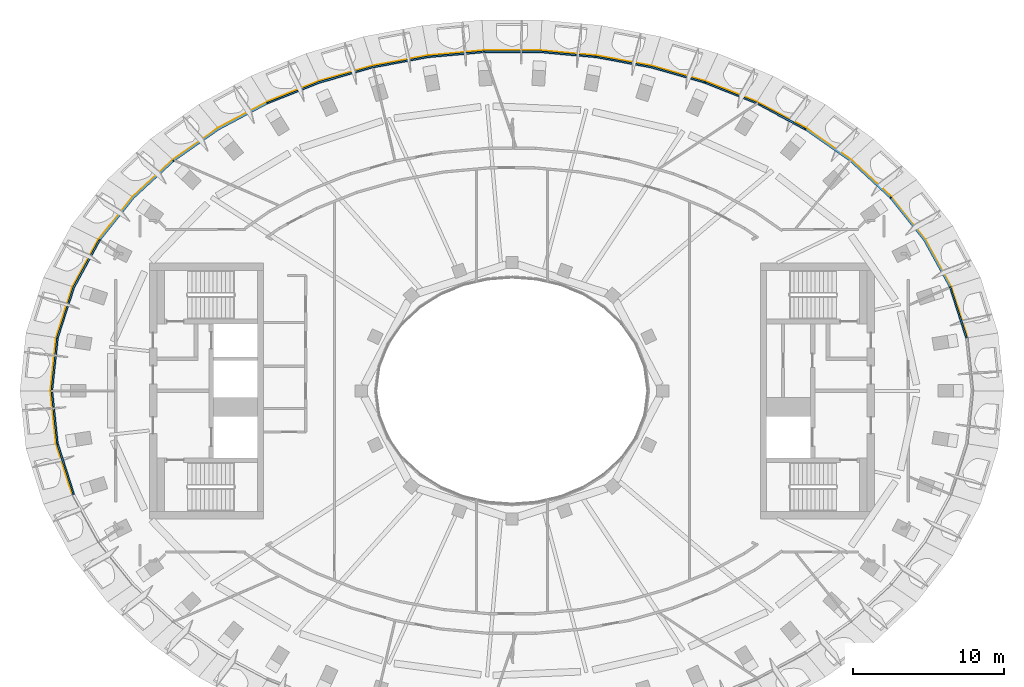
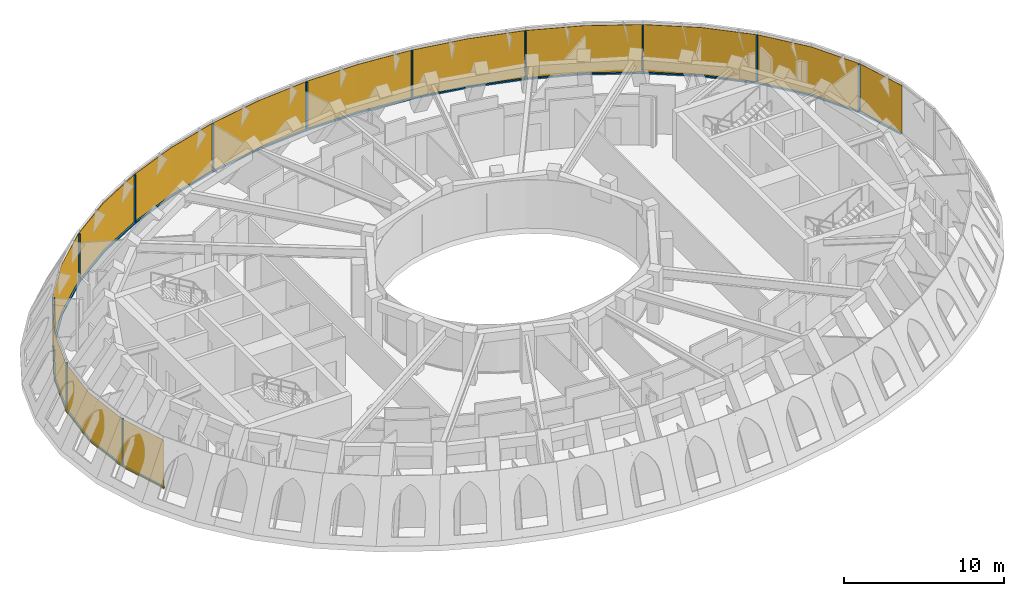
# One storey, part 8 of 13: 25 members, 1 curtain wall.
"""IFC4 building model written with IfcOpenShell, lengths in metres."""

from ifc_helpers import new_model, si_unit, direction, frame, origin, origin_2d, place, context, subcontext, project, spatial, polyline, rectangle, outline, extrude, material, layer, layer_set, material_profile, profile_set, type_object, element, aggregate, save


model = new_model("IFC4")

# Units and contexts
model_context = context("Model", 3, precision=1e-05, world=origin(), true_north=direction((0.0, 1.0)))
body_context = subcontext(model_context, "Body", "Model", "MODEL_VIEW")
ifc_project = project(units=[si_unit("LENGTHUNIT", "METRE"), si_unit("AREAUNIT", "SQUARE_METRE"), si_unit("VOLUMEUNIT", "CUBIC_METRE"), si_unit("PLANEANGLEUNIT", "RADIAN"), si_unit("MASSUNIT", "GRAM", prefix="KILO")], contexts=[model_context])

# Member
ifc_material_1 = material(Name="Aluminium 6063-T6 black anodised", Category="aluminium")
ifc_material_profile = material_profile(ifc_material_1, rectangle(XDim=0.1201171875, YDim=0.06005859375, at=origin_2d()), Name="120x60")
ifc_profile_set = profile_set([ifc_material_profile], Name="Aluminium 6063-T6 black anodised")
member_type_1 = type_object("IfcMemberType", Name="ENV-MULLION-H-120", PredefinedType="MULLION", material=ifc_profile_set)
site_placement = place(None, origin())
building_placement = place(site_placement, origin())
storey_placement = place(building_placement, frame((0.0, 0.0, 347.0)))
member_1_placement = place(storey_placement, frame((29.093505859375, 6.876220703125, 0.0), z_axis=(0.0, 0.0, 1.0), x_axis=(-0.91850908532, -0.39539987378, 0.0)))
member_1 = element("IfcMember", 1, at=member_1_placement, type_object=member_type_1, Name="Mullion H radial 03", PredefinedType="MULLION", context=body_context, shape_type="SweptSolid", body=[
    extrude(rectangle(XDim=0.1201171875, YDim=0.06005859375, at=origin_2d()), origin(), (0.0, 0.0, 1.0), 3.699951171875),
])

member_2_placement = place(storey_placement, frame((25.1328125, 12.81689453125, 0.0), z_axis=(0.0, 0.0, 1.0), x_axis=(-0.732106020087, -0.6811907041, 0.0)))
member_2 = element("IfcMember", 2, at=member_2_placement, type_object=member_type_1, Name="Mullion H radial 05", PredefinedType="MULLION", context=body_context, shape_type="SweptSolid", body=[
    extrude(rectangle(XDim=0.1201171875, YDim=0.06005859375, at=origin_2d()), origin(), (0.0, 0.0, 1.0), 3.699951171875),
])

member_3_placement = place(storey_placement, frame((19.470703125, 17.37451171875, 0.0), z_axis=(0.0, 0.0, 1.0), x_axis=(-0.522870075085, -0.852412391147, 0.0)))
member_3 = element("IfcMember", 3, at=member_3_placement, type_object=member_type_1, Name="Mullion H radial 07", PredefinedType="MULLION", context=body_context, shape_type="SweptSolid", body=[
    extrude(rectangle(XDim=0.1201171875, YDim=0.06005859375, at=origin_2d()), origin(), (0.0, 0.0, 1.0), 3.699951171875),
])

member_4_placement = place(storey_placement, frame((12.79296875, 20.47607421875, 0.0), z_axis=(0.0, 0.0, 1.0), x_axis=(-0.323358589066, -0.946276504452, 0.0)))
member_4 = element("IfcMember", 4, at=member_4_placement, type_object=member_type_1, Name="Mullion H radial 09", PredefinedType="MULLION", context=body_context, shape_type="SweptSolid", body=[
    extrude(rectangle(XDim=0.1201171875, YDim=0.06005859375, at=origin_2d()), origin(), (0.0, 0.0, 1.0), 3.699951171875),
])

member_5_placement = place(storey_placement, frame((5.570556640625, 22.1708984375, 0.0), z_axis=(0.0, 0.0, 1.0), x_axis=(-0.136098520291, -0.990695307738, 0.0)))
member_5 = element("IfcMember", 5, at=member_5_placement, type_object=member_type_1, Name="Mullion H radial 11", PredefinedType="MULLION", context=body_context, shape_type="SweptSolid", body=[
    extrude(rectangle(XDim=0.1201171875, YDim=0.06005859375, at=origin_2d()), origin(), (0.0, 0.0, 1.0), 3.699951171875),
])

member_6_placement = place(storey_placement, frame((-1.862548828125, 22.507080078125, 0.0), z_axis=(0.0, 0.0, 1.0), x_axis=(0.045196318723, -0.998978124272, 0.0)))
member_6 = element("IfcMember", 6, at=member_6_placement, type_object=member_type_1, Name="Mullion H radial 13", PredefinedType="MULLION", context=body_context, shape_type="SweptSolid", body=[
    extrude(rectangle(XDim=0.1201171875, YDim=0.06005859375, at=origin_2d()), origin(), (0.0, 0.0, 1.0), 3.699951171875),
])

member_7_placement = place(storey_placement, frame((-9.226806640625, 21.49560546875, 0.0), z_axis=(0.0, 0.0, 1.0), x_axis=(0.228510586418, -0.97354142793, 0.0)))
member_7 = element("IfcMember", 7, at=member_7_placement, type_object=member_type_1, Name="Mullion H radial 15", PredefinedType="MULLION", context=body_context, shape_type="SweptSolid", body=[
    extrude(rectangle(XDim=0.1201171875, YDim=0.06005859375, at=origin_2d()), origin(), (0.0, 0.0, 1.0), 3.699951171875),
])

member_8_placement = place(storey_placement, frame((-16.22509765625, 19.10498046875, 0.0), z_axis=(0.0, 0.0, 1.0), x_axis=(0.421378072232, -0.906885064516, 0.0)))
member_8 = element("IfcMember", 8, at=member_8_placement, type_object=member_type_1, Name="Mullion H radial 17", PredefinedType="MULLION", context=body_context, shape_type="SweptSolid", body=[
    extrude(rectangle(XDim=0.1201171875, YDim=0.06005859375, at=origin_2d()), origin(), (0.0, 0.0, 1.0), 3.699951171875),
])

member_9_placement = place(storey_placement, frame((-22.466064453125, 15.2783203125, 0.0), z_axis=(0.0, 0.0, 1.0), x_axis=(0.627226636309, -0.778836790801, 0.0)))
member_9 = element("IfcMember", 9, at=member_9_placement, type_object=member_type_1, Name="Mullion H radial 19", PredefinedType="MULLION", context=body_context, shape_type="SweptSolid", body=[
    extrude(rectangle(XDim=0.1201171875, YDim=0.06005859375, at=origin_2d()), origin(), (0.0, 0.0, 1.0), 3.699951171875),
])

member_10_placement = place(storey_placement, frame((-27.377197265625, 10.00390625, 0.0), z_axis=(0.0, 0.0, 1.0), x_axis=(0.832258320098, -0.55438803074, 0.0)))
member_10 = element("IfcMember", 10, at=member_10_placement, type_object=member_type_1, Name="Mullion H radial 21", PredefinedType="MULLION", context=body_context, shape_type="SweptSolid", body=[
    extrude(rectangle(XDim=0.1201171875, YDim=0.06005859375, at=origin_2d()), origin(), (0.0, 0.0, 1.0), 3.699951171875),
])

member_11_placement = place(storey_placement, frame((-30.177490234375, 3.50537109375, 0.0), z_axis=(0.0, 0.0, 1.0), x_axis=(0.978372293945, -0.206851769249, 0.0)))
member_11 = element("IfcMember", 11, at=member_11_placement, type_object=member_type_1, Name="Mullion H radial 23", PredefinedType="MULLION", context=body_context, shape_type="SweptSolid", body=[
    extrude(rectangle(XDim=0.1201171875, YDim=0.06005859375, at=origin_2d()), origin(), (0.0, 0.0, 1.0), 3.699951171875),
])

member_12_placement = place(storey_placement, frame((-30.177490234375, -3.50537109375, 0.0), z_axis=(0.0, 0.0, 1.0), x_axis=(0.978372293945, 0.206851769249, 0.0)))
member_12 = element("IfcMember", 12, at=member_12_placement, type_object=member_type_1, Name="Mullion H radial 25", PredefinedType="MULLION", context=body_context, shape_type="SweptSolid", body=[
    extrude(rectangle(XDim=0.1201171875, YDim=0.06005859375, at=origin_2d()), origin(), (0.0, 0.0, 1.0), 3.699951171875),
])

ifc_material_2 = material(Name="Aluminium 6063-T6 black anodised", Category="aluminium")
member_type_2 = type_object("IfcMemberType", Name="ENV-TRANSOM-H", PredefinedType="USERDEFINED", material=ifc_material_2)
member_13_placement = place(storey_placement, origin())
member_13 = element("IfcMember", 13, at=member_13_placement, type_object=member_type_2, Name="Transom H radial 02-03", ObjectType="TRANSOM", PredefinedType="USERDEFINED", context=body_context, shape_type="SweptSolid", body=[
    extrude(outline(polyline([(30.236083984375, 3.517822265625), (29.156982421875, 6.873291015625), (29.04638671875, 6.82568359375), (30.117919921875, 3.492919921875), (30.236083984375, 3.517822265625)])), origin(), (0.0, 0.0, 1.0), 0.10009765625),
])

member_14_placement = place(storey_placement, origin())
member_14 = element("IfcMember", 14, at=member_14_placement, type_object=member_type_2, Name="Transom H radial 03-05", ObjectType="TRANSOM", PredefinedType="USERDEFINED", context=body_context, shape_type="SweptSolid", body=[
    extrude(outline(polyline([(29.135009765625, 6.924560546875), (27.427001953125, 10.037109375), (25.194091796875, 12.8359375), (25.10595703125, 12.75390625), (27.32666015625, 9.97021484375), (29.024169921875, 6.876708984375), (29.135009765625, 6.924560546875)])), origin(), (0.0, 0.0, 1.0), 0.10009765625),
])

member_15_placement = place(storey_placement, origin())
member_15 = element("IfcMember", 15, at=member_15_placement, type_object=member_type_2, Name="Transom H radial 05-07", ObjectType="TRANSOM", PredefinedType="USERDEFINED", context=body_context, shape_type="SweptSolid", body=[
    extrude(outline(polyline([(25.156005859375, 12.876708984375), (22.503662109375, 15.324951171875), (19.52490234375, 17.409423828125), (19.462158203125, 17.306884765625), (22.42822265625, 15.2314453125), (25.068115234375, 12.794921875), (25.156005859375, 12.876708984375)])), origin(), (0.0, 0.0, 1.0), 0.10009765625),
])

member_16_placement = place(storey_placement, origin())
member_16 = element("IfcMember", 16, at=member_16_placement, type_object=member_type_2, Name="Transom H radial 07-09", ObjectType="TRANSOM", PredefinedType="USERDEFINED", context=body_context, shape_type="SweptSolid", body=[
    extrude(outline(polyline([(19.477294921875, 17.438720703125), (16.250244140625, 19.159423828125), (12.83837890625, 20.5224609375), (12.799560546875, 20.40869140625), (16.19970703125, 19.05029296875), (19.41455078125, 17.336181640625), (19.477294921875, 17.438720703125)])), origin(), (0.0, 0.0, 1.0), 0.10009765625),
])

member_17_placement = place(storey_placement, origin())
member_17 = element("IfcMember", 17, at=member_17_placement, type_object=member_type_2, Name="Transom H radial 09-11", ObjectType="TRANSOM", PredefinedType="USERDEFINED", context=body_context, shape_type="SweptSolid", body=[
    extrude(outline(polyline([(12.785400390625, 20.54052734375), (9.240478515625, 21.553955078125), (5.6064453125, 22.22509765625), (5.590087890625, 22.106201171875), (9.213134765625, 21.43701171875), (12.74658203125, 20.4267578125), (12.785400390625, 20.54052734375)])), origin(), (0.0, 0.0, 1.0), 0.10009765625),
])

member_18_placement = place(storey_placement, origin())
member_18 = element("IfcMember", 18, at=member_18_placement, type_object=member_type_2, Name="Transom H radial 11-13", ObjectType="TRANSOM", PredefinedType="USERDEFINED", context=body_context, shape_type="SweptSolid", body=[
    extrude(outline(polyline([(5.55078125, 22.23291015625), (1.865234375, 22.56689453125), (-1.83740234375, 22.56689453125), (-1.831787109375, 22.447021484375), (1.85986328125, 22.447021484375), (5.53466796875, 22.11376953125), (5.55078125, 22.23291015625)])), origin(), (0.0, 0.0, 1.0), 0.10009765625),
])

member_19_placement = place(storey_placement, origin())
member_19 = element("IfcMember", 19, at=member_19_placement, type_object=member_type_2, Name="Transom H radial 13-15", ObjectType="TRANSOM", PredefinedType="USERDEFINED", context=body_context, shape_type="SweptSolid", body=[
    extrude(outline(polyline([(-1.89306640625, 22.564453125), (-5.578857421875, 22.230224609375), (-9.212890625, 21.55908203125), (-9.185546875, 21.442138671875), (-5.5625, 22.111083984375), (-1.8876953125, 22.4443359375), (-1.89306640625, 22.564453125)])), origin(), (0.0, 0.0, 1.0), 0.10009765625),
])

member_20_placement = place(storey_placement, origin())
member_20 = element("IfcMember", 20, at=member_20_placement, type_object=member_type_2, Name="Transom H radial 15-17", ObjectType="TRANSOM", PredefinedType="USERDEFINED", context=body_context, shape_type="SweptSolid", body=[
    extrude(outline(polyline([(-9.267578125, 21.54638671875), (-12.812255859375, 20.53271484375), (-16.224365234375, 19.169677734375), (-16.173583984375, 19.060791015625), (-12.7734375, 20.419189453125), (-9.239990234375, 21.42919921875), (-9.267578125, 21.54638671875)])), origin(), (0.0, 0.0, 1.0), 0.10009765625),
])

member_21_placement = place(storey_placement, origin())
member_21 = element("IfcMember", 21, at=member_21_placement, type_object=member_type_2, Name="Transom H radial 17-19", ObjectType="TRANSOM", PredefinedType="USERDEFINED", context=body_context, shape_type="SweptSolid", body=[
    extrude(outline(polyline([(-16.27490234375, 19.146240234375), (-19.501953125, 17.425537109375), (-22.480712890625, 15.341064453125), (-22.4052734375, 15.247314453125), (-19.439208984375, 17.322998046875), (-16.224365234375, 19.037109375), (-16.27490234375, 19.146240234375)])), origin(), (0.0, 0.0, 1.0), 0.10009765625),
])

member_22_placement = place(storey_placement, origin())
member_22 = element("IfcMember", 22, at=member_22_placement, type_object=member_type_2, Name="Transom H radial 19-21", ObjectType="TRANSOM", PredefinedType="USERDEFINED", context=body_context, shape_type="SweptSolid", body=[
    extrude(outline(polyline([(-22.524169921875, 15.30615234375), (-25.1767578125, 12.85791015625), (-27.409423828125, 10.058837890625), (-27.30908203125, 9.9921875), (-25.088623046875, 12.77587890625), (-22.44873046875, 15.21240234375), (-22.524169921875, 15.30615234375)])), origin(), (0.0, 0.0, 1.0), 0.10009765625),
])

member_23_placement = place(storey_placement, origin())
member_23 = element("IfcMember", 23, at=member_23_placement, type_object=member_type_2, Name="Transom H radial 21-23", ObjectType="TRANSOM", PredefinedType="USERDEFINED", context=body_context, shape_type="SweptSolid", body=[
    extrude(outline(polyline([(-27.4404296875, 10.012451171875), (-29.1484375, 6.89990234375), (-30.227294921875, 3.54443359375), (-30.109375, 3.51953125), (-29.03759765625, 6.852294921875), (-27.340087890625, 9.94580078125), (-27.4404296875, 10.012451171875)])), origin(), (0.0, 0.0, 1.0), 0.10009765625),
])

member_24_placement = place(storey_placement, origin())
member_24 = element("IfcMember", 24, at=member_24_placement, type_object=member_type_2, Name="Transom H radial 23-25", ObjectType="TRANSOM", PredefinedType="USERDEFINED", context=body_context, shape_type="SweptSolid", body=[
    extrude(outline(polyline([(-30.239013671875, 3.489990234375), (-30.60888671875, 0.0), (-30.239013671875, -3.489990234375), (-30.120849609375, -3.465087890625), (-30.48828125, 0.0), (-30.120849609375, 3.465087890625), (-30.239013671875, 3.489990234375)])), origin(), (0.0, 0.0, 1.0), 0.10009765625),
])

member_25_placement = place(storey_placement, origin())
member_25 = element("IfcMember", 25, at=member_25_placement, type_object=member_type_2, Name="Transom H radial 25-26", ObjectType="TRANSOM", PredefinedType="USERDEFINED", context=body_context, shape_type="SweptSolid", body=[
    extrude(outline(polyline([(-30.227294921875, -3.54443359375), (-29.1484375, -6.89990234375), (-29.03759765625, -6.852294921875), (-30.109375, -3.51953125), (-30.227294921875, -3.54443359375)])), origin(), (0.0, 0.0, 1.0), 0.10009765625),
])

# Site, building, storey
site = spatial("IfcSite", under=ifc_project, at=site_placement, CompositionType="ELEMENT")
building = spatial("IfcBuilding", under=site, at=building_placement, Name="Noorbagh Ring Tower", CompositionType="ELEMENT")
storey = spatial("IfcBuildingStorey", under=building, at=storey_placement, Name="L76", CompositionType="ELEMENT", Elevation=347.0)

# Curtain wall
ifc_material_3 = material(Name="Glass dark tinted laminated", Category="glass")
ifc_layer = layer(ifc_material_3, 0.031982421875)
ifc_layer_set = layer_set([ifc_layer], Name="Glass dark tinted laminated")
curtain_wall_type = type_object("IfcCurtainWallType", Name="ENV-CW-H", PredefinedType="NOTDEFINED", material=ifc_layer_set)
curtain_wall_placement = place(storey_placement, origin())
curtain_wall = element("IfcCurtainWall", 26, at=curtain_wall_placement, inside=storey, type_object=curtain_wall_type, Name="Curtain wall H R02", PredefinedType="NOTDEFINED", context=body_context, shape_type="SweptSolid", body=[
    extrude(outline(polyline([(30.267578125, 3.5244140625), (29.177978515625, 6.91259765625), (27.45361328125, 10.0546875), (25.2001953125, 12.879638671875), (22.523681640625, 15.35009765625), (19.518798828125, 17.452880859375), (16.263916015625, 19.1884765625), (12.82275390625, 20.56298828125), (9.247802734375, 21.585205078125), (5.583251953125, 22.261962890625), (1.86669921875, 22.59912109375), (-1.86669921875, 22.59912109375), (-5.583251953125, 22.261962890625), (-9.247802734375, 21.585205078125), (-12.82275390625, 20.56298828125), (-16.263916015625, 19.1884765625), (-19.518798828125, 17.452880859375), (-22.523681640625, 15.35009765625), (-25.2001953125, 12.879638671875), (-27.45361328125, 10.0546875), (-29.177978515625, 6.91259765625), (-30.267578125, 3.5244140625), (-30.64111328125, 0.0), (-30.267578125, -3.5244140625), (-29.177978515625, -6.91259765625), (-29.1484375, -6.89990234375), (-30.236083984375, -3.517822265625), (-30.60888671875, 0.0), (-30.236083984375, 3.517822265625), (-29.1484375, 6.89990234375), (-27.427001953125, 10.037109375), (-25.1767578125, 12.85791015625), (-22.503662109375, 15.324951171875), (-19.501953125, 17.425537109375), (-16.250244140625, 19.159423828125), (-12.812255859375, 20.53271484375), (-9.240478515625, 21.553955078125), (-5.578857421875, 22.230224609375), (-1.865234375, 22.56689453125), (1.865234375, 22.56689453125), (5.578857421875, 22.230224609375), (9.240478515625, 21.553955078125), (12.812255859375, 20.53271484375), (16.250244140625, 19.159423828125), (19.501953125, 17.425537109375), (22.503662109375, 15.324951171875), (25.1767578125, 12.85791015625), (27.427001953125, 10.037109375), (29.1484375, 6.89990234375), (30.236083984375, 3.517822265625), (30.267578125, 3.5244140625)])), origin(), (0.0, 0.0, 1.0), 3.699951171875),
])

aggregate(curtain_wall, [member_1, member_2, member_3, member_4, member_5, member_6, member_7, member_8, member_9, member_10, member_11, member_12, member_13, member_14, member_15, member_16, member_17, member_18, member_19, member_20, member_21, member_22, member_23, member_24, member_25])

save(model, "model.ifc")
